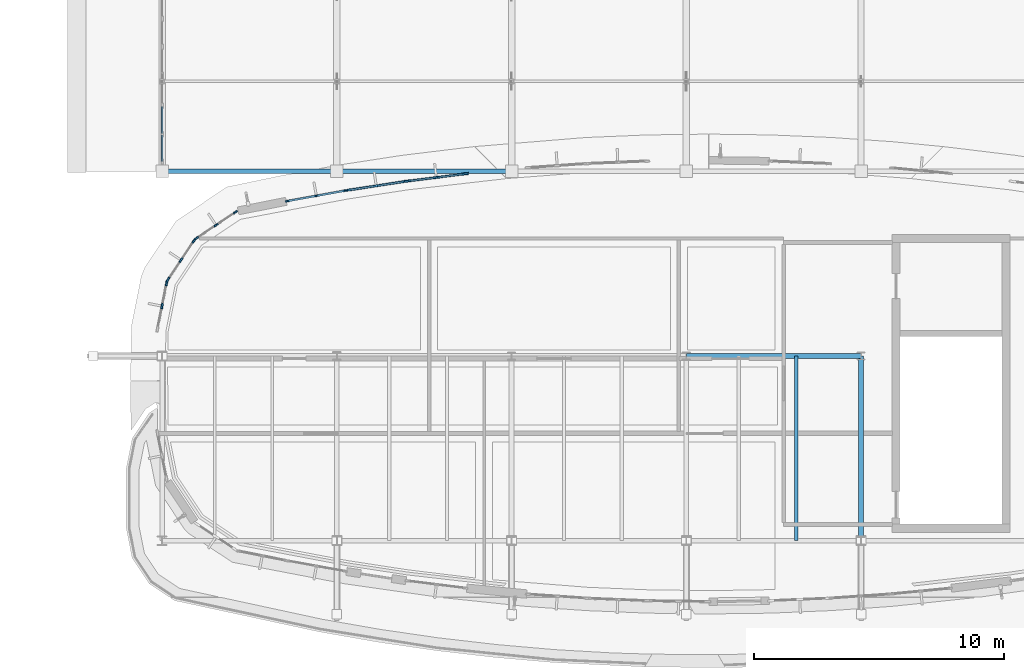
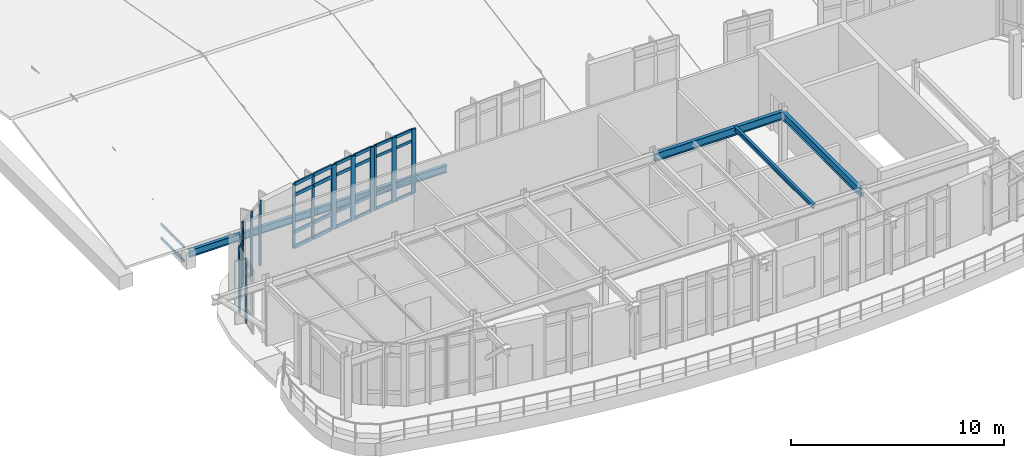
# One storey, part 31 of 105: 45 members, 5 beams, 7 elements without a shape of their own.
"""IFC4 building model written with IfcOpenShell, lengths in metres."""

from ifc_helpers import new_model, si_unit, direction, frame, origin, origin_2d, place, context, subcontext, project, spatial, rectangle, i_section, extrude, material, material_profile, profile_set, type_object, element, aggregate, save


model = new_model("IFC4")

# Units and contexts
model_context = context("Model", 3, precision=1e-05, world=origin(), true_north=direction((0.0, 1.0)))
body_context = subcontext(model_context, "Body", "Model", "MODEL_VIEW")
ifc_project = project(units=[si_unit("LENGTHUNIT", "METRE"), si_unit("AREAUNIT", "SQUARE_METRE"), si_unit("VOLUMEUNIT", "CUBIC_METRE"), si_unit("PLANEANGLEUNIT", "RADIAN"), si_unit("MASSUNIT", "GRAM", prefix="KILO")], contexts=[model_context])

# Site, building, storey
site_placement = place(None, origin())
site = spatial("IfcSite", under=ifc_project, at=site_placement, CompositionType="ELEMENT")
building_placement = place(site_placement, origin())
building = spatial("IfcBuilding", under=site, at=building_placement, Name="Corveleigh Park Community Centre", CompositionType="ELEMENT")
storey_placement = place(building_placement, frame((0.0, 0.0, 8.699951171875)))
storey = spatial("IfcBuildingStorey", under=building, at=storey_placement, Name="L02", CompositionType="ELEMENT", Elevation=8.699951171875)

# Beams
ifc_material_1 = material(Name="Steel S355", Category="steel")
ifc_material_profile_1 = material_profile(ifc_material_1, i_section(OverallWidth=0.14599609375, OverallDepth=0.25146484375, WebThickness=0.006103515625, FlangeThickness=0.008544921875, at=origin_2d()), Name="UKB 254x146x31", Category="steel")
ifc_profile_set_1 = profile_set([ifc_material_profile_1], Name="Steel S355")
beam_type_1 = type_object("IfcBeamType", Name="BM-STL-UKB254x31", PredefinedType="JOIST", material=ifc_profile_set_1)
beam_1_placement = place(storey_placement, frame((36.610107421875, 78.0048828125, 3.486328125), z_axis=(0.0, 1.0, 0.0), x_axis=(-1.0, 0.0, 0.0)))
element("IfcBeam", 1, at=beam_1_placement, inside=storey, type_object=beam_type_1, Name="Secondary floor joist", PredefinedType="JOIST", context=body_context, shape_type="SweptSolid", body=[
    extrude(i_section(OverallWidth=0.14599609375, OverallDepth=0.25146484375, WebThickness=0.006103515625, FlangeThickness=0.008544921875, at=origin_2d()), origin(), (0.0, 0.0, 1.0), 7.39013671875),
])
ifc_material_profile_2 = material_profile(ifc_material_1, i_section(OverallWidth=0.177978515625, OverallDepth=0.406494140625, WebThickness=0.0078125, FlangeThickness=0.0126953125, at=origin_2d()), Name="UKB 406x178x60", Category="steel")
ifc_profile_set_2 = profile_set([ifc_material_profile_2], Name="Steel S355")
beam_type_2 = type_object("IfcBeamType", Name="BM-STL-UKB406x60", PredefinedType="BEAM", material=ifc_profile_set_2)
for number, where, z_axis, x_axis, name in (
    (2, (11.205078125, 92.800048828125, 0.716796875), (1.0, 0.0, 0.0), (0.0, 1.0, 0.0), "V2 Eave Tie Beam"),
    (3, (18.205078125, 92.800048828125, 0.716796875), (1.0, 0.0, 0.0), (0.0, 1.0, 0.0), "V2 Eave Tie Beam"),
):
    element("IfcBeam", number, at=place(storey_placement, frame(where, z_axis=z_axis, x_axis=x_axis)), inside=storey, type_object=beam_type_2, Name=name, PredefinedType="BEAM", context=body_context, shape_type="SweptSolid", body=[
        extrude(i_section(OverallWidth=0.177978515625, OverallDepth=0.406494140625, WebThickness=0.0078125, FlangeThickness=0.0126953125, at=origin_2d()), origin(), (0.0, 0.0, 1.0), 6.989990234375),
    ])
ifc_material_profile_3 = material_profile(ifc_material_1, i_section(OverallWidth=0.1904296875, OverallDepth=0.45703125, WebThickness=0.009033203125, FlangeThickness=0.014404296875, at=origin_2d()), Name="UKB 457x191x74", Category="steel")
ifc_profile_set_3 = profile_set([ifc_material_profile_3], Name="Steel S355")
beam_type_3 = type_object("IfcBeamType", Name="BM-STL-UKB457x74", PredefinedType="BEAM", material=ifc_profile_set_3)
beam_2_placement = place(storey_placement, frame((39.199951171875, 78.0048828125, 3.383544921875), z_axis=(0.0, 1.0, 0.0), x_axis=(-1.0, 0.0, 0.0)))
element("IfcBeam", 4, at=beam_2_placement, inside=storey, type_object=beam_type_3, Name="V2 Studio Girder Y", PredefinedType="BEAM", context=body_context, shape_type="SweptSolid", body=[
    extrude(i_section(OverallWidth=0.1904296875, OverallDepth=0.45703125, WebThickness=0.009033203125, FlangeThickness=0.014404296875, at=origin_2d()), origin(), (0.0, 0.0, 1.0), 7.39013671875),
])
ifc_material_profile_4 = material_profile(ifc_material_1, i_section(OverallWidth=0.19140625, OverallDepth=0.4599609375, WebThickness=0.010009765625, FlangeThickness=0.01611328125, at=origin_2d()), Name="UKB 457x191x82", Category="steel")
ifc_profile_set_4 = profile_set([ifc_material_profile_4], Name="Steel S355")
beam_type_4 = type_object("IfcBeamType", Name="BM-STL-UKB457x82", PredefinedType="BEAM", material=ifc_profile_set_4)
beam_3_placement = place(storey_placement, frame((32.205078125, 85.39990234375, 3.382080078125), z_axis=(1.0, 0.0, 0.0), x_axis=(0.0, 1.0, 0.0)))
element("IfcBeam", 5, at=beam_3_placement, inside=storey, type_object=beam_type_4, Name="V2 Studio Girder X", PredefinedType="BEAM", context=body_context, shape_type="SweptSolid", body=[
    extrude(i_section(OverallWidth=0.19140625, OverallDepth=0.4599609375, WebThickness=0.010009765625, FlangeThickness=0.01611328125, at=origin_2d()), origin(), (0.0, 0.0, 1.0), 6.989990234375),
])

# Curtain wall, members
ifc_material_2 = material(Name="Anodised aluminium 6063-T6", Category="aluminium")
curtain_wall_type = type_object("IfcCurtainWallType", Name="CW-SYS-V2-HALL", PredefinedType="NOTDEFINED", material=ifc_material_2)
curtain_wall_1_placement = place(storey_placement, origin())
curtain_wall_1 = element("IfcCurtainWall", 6, at=curtain_wall_1_placement, inside=storey, type_object=curtain_wall_type, Name="V2 L02 Curtain Wall 325", PredefinedType="NOTDEFINED")
ifc_material_profile_5 = material_profile(ifc_material_2, rectangle(XDim=0.06005859375, YDim=0.159912109375, at=origin_2d()), Name="ALU-M60x160", Category="aluminium")
ifc_profile_set_5 = profile_set([ifc_material_profile_5], Name="Anodised aluminium 6063-T6")
member_type_1 = type_object("IfcMemberType", Name="CWM-60x160", PredefinedType="MULLION", material=ifc_profile_set_5)
member_1_placement = place(storey_placement, frame((16.221435546875, 91.6064453125, 0.0), z_axis=(0.0, 0.0, 1.0), x_axis=(-0.178484557805, 0.983942713081, 0.0)))
member_1 = element("IfcMember", 7, at=member_1_placement, type_object=member_type_1, Name="CW04 mullion 1", PredefinedType="MULLION", context=body_context, shape_type="SweptSolid", body=[
    extrude(rectangle(XDim=0.06005859375, YDim=0.159912109375, at=origin_2d()), origin(), (0.0, 0.0, 1.0), 3.679931640625),
])
member_2_placement = place(storey_placement, frame((17.3798828125, 91.81640625, 0.0), z_axis=(0.0, 0.0, 1.0), x_axis=(-0.178484557805, 0.983942713081, 0.0)))
member_2 = element("IfcMember", 8, at=member_2_placement, type_object=member_type_1, Name="CW04 mullion 2", PredefinedType="MULLION", context=body_context, shape_type="SweptSolid", body=[
    extrude(rectangle(XDim=0.06005859375, YDim=0.159912109375, at=origin_2d()), origin(), (0.0, 0.0, 1.0), 3.679931640625),
])
member_3_placement = place(storey_placement, frame((18.53857421875, 92.026611328125, 0.0), z_axis=(0.0, 0.0, 1.0), x_axis=(-0.178484557805, 0.983942713081, 0.0)))
member_3 = element("IfcMember", 9, at=member_3_placement, type_object=member_type_1, Name="CW04 mullion 3", PredefinedType="MULLION", context=body_context, shape_type="SweptSolid", body=[
    extrude(rectangle(XDim=0.06005859375, YDim=0.159912109375, at=origin_2d()), origin(), (0.0, 0.0, 1.0), 3.679931640625),
])

curtain_wall_2_placement = place(storey_placement, origin())
curtain_wall_2 = element("IfcCurtainWall", 10, at=curtain_wall_2_placement, inside=storey, type_object=curtain_wall_type, Name="V2 L02 Curtain Wall 326", PredefinedType="NOTDEFINED")
ifc_material_profile_6 = material_profile(ifc_material_2, rectangle(XDim=0.06494140625, YDim=0.179931640625, at=origin_2d()), Name="ALU-M65x180", Category="aluminium")
ifc_profile_set_6 = profile_set([ifc_material_profile_6], Name="Anodised aluminium 6063-T6")
member_type_2 = type_object("IfcMemberType", Name="CWM-65x180", PredefinedType="MULLION", material=ifc_profile_set_6)
member_4_placement = place(storey_placement, frame((12.58203125, 90.125, 0.0), z_axis=(0.0, 0.0, 1.0), x_axis=(-0.555058272633, 0.831811465407, 0.0)))
member_4 = element("IfcMember", 11, at=member_4_placement, type_object=member_type_2, Name="CW04 mullion 1", PredefinedType="MULLION", context=body_context, shape_type="SweptSolid", body=[
    extrude(rectangle(XDim=0.06494140625, YDim=0.179931640625, at=origin_2d()), origin(), (0.0, 0.0, 1.0), 3.679931640625),
])
member_5_placement = place(storey_placement, frame((13.35888671875, 90.6435546875, 0.0), z_axis=(0.0, 0.0, 1.0), x_axis=(-0.555058272633, 0.831811465407, 0.0)))
member_5 = element("IfcMember", 12, at=member_5_placement, type_object=member_type_2, Name="CW04 mullion 2", PredefinedType="MULLION", context=body_context, shape_type="SweptSolid", body=[
    extrude(rectangle(XDim=0.06494140625, YDim=0.179931640625, at=origin_2d()), origin(), (0.0, 0.0, 1.0), 3.679931640625),
])
member_6_placement = place(storey_placement, frame((14.135986328125, 91.161865234375, 0.0), z_axis=(0.0, 0.0, 1.0), x_axis=(-0.555058272633, 0.831811465407, 0.0)))
member_6 = element("IfcMember", 13, at=member_6_placement, type_object=member_type_2, Name="CW04 mullion 3", PredefinedType="MULLION", context=body_context, shape_type="SweptSolid", body=[
    extrude(rectangle(XDim=0.06494140625, YDim=0.179931640625, at=origin_2d()), origin(), (0.0, 0.0, 1.0), 3.679931640625),
])
aggregate(curtain_wall_2, [member_4, member_5, member_6])

curtain_wall_3_placement = place(storey_placement, origin())
curtain_wall_3 = element("IfcCurtainWall", 14, at=curtain_wall_3_placement, inside=storey, type_object=curtain_wall_type, Name="V2 L02 Curtain Wall 327", PredefinedType="NOTDEFINED")
ifc_material_profile_7 = material_profile(ifc_material_2, rectangle(XDim=0.070068359375, YDim=0.199951171875, at=origin_2d()), Name="ALU-M70x200", Category="aluminium")
ifc_profile_set_7 = profile_set([ifc_material_profile_7], Name="Anodised aluminium 6063-T6")
member_type_3 = type_object("IfcMemberType", Name="CWM-70x200", PredefinedType="MULLION", material=ifc_profile_set_7)
member_7_placement = place(storey_placement, frame((11.439453125, 88.466064453125, 0.0), z_axis=(0.0, 0.0, 1.0), x_axis=(-0.831811465407, 0.555058272633, 0.0)))
member_7 = element("IfcMember", 15, at=member_7_placement, type_object=member_type_3, Name="CW04 mullion 1", PredefinedType="MULLION", context=body_context, shape_type="SweptSolid", body=[
    extrude(rectangle(XDim=0.070068359375, YDim=0.199951171875, at=origin_2d()), origin(), (0.0, 0.0, 1.0), 3.679931640625),
])
member_8_placement = place(storey_placement, frame((11.95654296875, 89.240966796875, 0.0), z_axis=(0.0, 0.0, 1.0), x_axis=(-0.831811465407, 0.555058272633, 0.0)))
member_8 = element("IfcMember", 16, at=member_8_placement, type_object=member_type_3, Name="CW04 mullion 2", PredefinedType="MULLION", context=body_context, shape_type="SweptSolid", body=[
    extrude(rectangle(XDim=0.070068359375, YDim=0.199951171875, at=origin_2d()), origin(), (0.0, 0.0, 1.0), 3.679931640625),
])
member_9_placement = place(storey_placement, frame((12.4736328125, 90.015869140625, 0.0), z_axis=(0.0, 0.0, 1.0), x_axis=(-0.831811465407, 0.555058272633, 0.0)))
member_9 = element("IfcMember", 17, at=member_9_placement, type_object=member_type_3, Name="CW04 mullion 3", PredefinedType="MULLION", context=body_context, shape_type="SweptSolid", body=[
    extrude(rectangle(XDim=0.070068359375, YDim=0.199951171875, at=origin_2d()), origin(), (0.0, 0.0, 1.0), 3.679931640625),
])
aggregate(curtain_wall_3, [member_7, member_8, member_9])

curtain_wall_4_placement = place(storey_placement, origin())
curtain_wall_4 = element("IfcCurtainWall", 18, at=curtain_wall_4_placement, inside=storey, type_object=curtain_wall_type, Name="V2 L02 Curtain Wall 328", PredefinedType="NOTDEFINED")
ifc_material_profile_8 = material_profile(ifc_material_2, rectangle(XDim=0.074951171875, YDim=0.219970703125, at=origin_2d()), Name="ALU-M75x220", Category="aluminium")
ifc_profile_set_8 = profile_set([ifc_material_profile_8], Name="Anodised aluminium 6063-T6")
member_type_4 = type_object("IfcMemberType", Name="CWM-75x220", PredefinedType="MULLION", material=ifc_profile_set_8)
member_10_placement = place(storey_placement, frame((11.195556640625, 87.39794921875, 0.0), z_axis=(0.0, 0.0, 1.0), x_axis=(-0.980796650035, 0.195033154312, 0.0)))
member_10 = element("IfcMember", 19, at=member_10_placement, type_object=member_type_4, Name="CW04 mullion 2", PredefinedType="MULLION", context=body_context, shape_type="SweptSolid", body=[
    extrude(rectangle(XDim=0.074951171875, YDim=0.219970703125, at=origin_2d()), origin(), (0.0, 0.0, 1.0), 3.679931640625),
])
member_11_placement = place(storey_placement, frame((11.378662109375, 88.3193359375, 0.0), z_axis=(0.0, 0.0, 1.0), x_axis=(-0.980796650035, 0.195033154312, 0.0)))
member_11 = element("IfcMember", 20, at=member_11_placement, type_object=member_type_4, Name="CW04 mullion 3", PredefinedType="MULLION", context=body_context, shape_type="SweptSolid", body=[
    extrude(rectangle(XDim=0.074951171875, YDim=0.219970703125, at=origin_2d()), origin(), (0.0, 0.0, 1.0), 3.679931640625),
])
aggregate(curtain_wall_4, [member_10, member_11])

curtain_wall_5_placement = place(storey_placement, origin())
curtain_wall_5 = element("IfcCurtainWall", 21, at=curtain_wall_5_placement, inside=storey, type_object=curtain_wall_type, Name="V2 L02 Curtain Wall 323", PredefinedType="NOTDEFINED")
ifc_material_profile_9 = material_profile(ifc_material_2, rectangle(XDim=0.080078125, YDim=0.25, at=origin_2d()), Name="ALU-M80x250", Category="aluminium")
ifc_profile_set_9 = profile_set([ifc_material_profile_9], Name="Anodised aluminium 6063-T6")
member_type_5 = type_object("IfcMemberType", Name="CWM-80x250", PredefinedType="MULLION", material=ifc_profile_set_9)
member_12_placement = place(storey_placement, frame((21.02880859375, 92.407958984375, 0.0), z_axis=(0.0, 0.0, 1.0), x_axis=(-0.124289683694, 0.99224597481, 0.0)))
member_12 = element("IfcMember", 22, at=member_12_placement, type_object=member_type_5, Name="CW04 mullion 1", PredefinedType="MULLION", context=body_context, shape_type="SweptSolid", body=[
    extrude(rectangle(XDim=0.080078125, YDim=0.25, at=origin_2d()), origin(), (0.0, 0.0, 1.0), 3.679931640625),
])
member_13_placement = place(storey_placement, frame((22.1865234375, 92.552978515625, 0.0), z_axis=(0.0, 0.0, 1.0), x_axis=(-0.124289683694, 0.99224597481, 0.0)))
member_13 = element("IfcMember", 23, at=member_13_placement, type_object=member_type_5, Name="CW04 mullion 2", PredefinedType="MULLION", context=body_context, shape_type="SweptSolid", body=[
    extrude(rectangle(XDim=0.080078125, YDim=0.25, at=origin_2d()), origin(), (0.0, 0.0, 1.0), 3.679931640625),
])
member_14_placement = place(storey_placement, frame((23.34423828125, 92.697998046875, 0.0), z_axis=(0.0, 0.0, 1.0), x_axis=(-0.124289683694, 0.99224597481, 0.0)))
member_14 = element("IfcMember", 24, at=member_14_placement, type_object=member_type_5, Name="CW04 mullion 3", PredefinedType="MULLION", context=body_context, shape_type="SweptSolid", body=[
    extrude(rectangle(XDim=0.080078125, YDim=0.25, at=origin_2d()), origin(), (0.0, 0.0, 1.0), 3.679931640625),
])

curtain_wall_6_placement = place(storey_placement, origin())
curtain_wall_6 = element("IfcCurtainWall", 25, at=curtain_wall_6_placement, inside=storey, type_object=curtain_wall_type, Name="V2 L02 Curtain Wall 324", PredefinedType="NOTDEFINED")
ifc_material_profile_10 = material_profile(ifc_material_2, rectangle(XDim=0.0849609375, YDim=0.27490234375, at=origin_2d()), Name="ALU-M85x275", Category="aluminium")
ifc_profile_set_10 = profile_set([ifc_material_profile_10], Name="Anodised aluminium 6063-T6")
member_type_6 = type_object("IfcMemberType", Name="CWM-85x275", PredefinedType="MULLION", material=ifc_profile_set_10)
member_15_placement = place(storey_placement, frame((18.6279296875, 92.04150390625, 0.0), z_axis=(0.0, 0.0, 1.0), x_axis=(-0.151683462597, 0.988429120967, 0.0)))
member_15 = element("IfcMember", 26, at=member_15_placement, type_object=member_type_6, Name="CW04 mullion 1", PredefinedType="MULLION", context=body_context, shape_type="SweptSolid", body=[
    extrude(rectangle(XDim=0.0849609375, YDim=0.27490234375, at=origin_2d()), origin(), (0.0, 0.0, 1.0), 3.679931640625),
])
member_16_placement = place(storey_placement, frame((19.778564453125, 92.218017578125, 0.0), z_axis=(0.0, 0.0, 1.0), x_axis=(-0.151683462597, 0.988429120967, 0.0)))
member_16 = element("IfcMember", 27, at=member_16_placement, type_object=member_type_6, Name="CW04 mullion 2", PredefinedType="MULLION", context=body_context, shape_type="SweptSolid", body=[
    extrude(rectangle(XDim=0.0849609375, YDim=0.27490234375, at=origin_2d()), origin(), (0.0, 0.0, 1.0), 3.679931640625),
])
member_17_placement = place(storey_placement, frame((20.928955078125, 92.39453125, 0.0), z_axis=(0.0, 0.0, 1.0), x_axis=(-0.151683462597, 0.988429120967, 0.0)))
member_17 = element("IfcMember", 28, at=member_17_placement, type_object=member_type_6, Name="CW04 mullion 3", PredefinedType="MULLION", context=body_context, shape_type="SweptSolid", body=[
    extrude(rectangle(XDim=0.0849609375, YDim=0.27490234375, at=origin_2d()), origin(), (0.0, 0.0, 1.0), 3.679931640625),
])

curtain_wall_7_placement = place(storey_placement, origin())
curtain_wall_7 = element("IfcCurtainWall", 29, at=curtain_wall_7_placement, inside=storey, type_object=curtain_wall_type, Name="Sports Hall W Gable Clerestory 1", PredefinedType="NOTDEFINED")
ifc_material_profile_11 = material_profile(ifc_material_2, rectangle(XDim=0.06494140625, YDim=0.139892578125, at=origin_2d()), Name="ALU-T65x140", Category="aluminium")
ifc_profile_set_11 = profile_set([ifc_material_profile_11], Name="Anodised aluminium 6063-T6")
member_type_7 = type_object("IfcMemberType", Name="CWT-65x140", PredefinedType="USERDEFINED", material=ifc_profile_set_11)
member_18_placement = place(storey_placement, frame((11.199951171875, 93.2099609375, 0.032470703125), z_axis=(0.0, 1.0, 0.0), x_axis=(-1.0, 0.0, 0.0)))
member_18 = element("IfcMember", 30, at=member_18_placement, type_object=member_type_7, Name="CW04 transom 1.1", ObjectType="TRANSOM", PredefinedType="USERDEFINED", context=body_context, shape_type="SweptSolid", body=[
    extrude(rectangle(XDim=0.06494140625, YDim=0.139892578125, at=origin_2d()), origin(), (0.0, 0.0, 1.0), 1.03515625),
])
member_19_placement = place(storey_placement, frame((11.199951171875, 93.2099609375, 0.838623046875), z_axis=(0.0, 1.0, 0.0), x_axis=(-1.0, 0.0, 0.0)))
member_19 = element("IfcMember", 31, at=member_19_placement, type_object=member_type_7, Name="CW04 transom 1.2", ObjectType="TRANSOM", PredefinedType="USERDEFINED", context=body_context, shape_type="SweptSolid", body=[
    extrude(rectangle(XDim=0.06494140625, YDim=0.139892578125, at=origin_2d()), origin(), (0.0, 0.0, 1.0), 1.03515625),
])
member_20_placement = place(storey_placement, frame((11.199951171875, 94.31494140625, 0.032470703125), z_axis=(0.0, 1.0, 0.0), x_axis=(-1.0, 0.0, 0.0)))
member_20 = element("IfcMember", 32, at=member_20_placement, type_object=member_type_7, Name="CW04 transom 2.1", ObjectType="TRANSOM", PredefinedType="USERDEFINED", context=body_context, shape_type="SweptSolid", body=[
    extrude(rectangle(XDim=0.06494140625, YDim=0.139892578125, at=origin_2d()), origin(), (0.0, 0.0, 1.0), 1.070068359375),
])
member_21_placement = place(storey_placement, frame((11.199951171875, 94.31494140625, 0.838623046875), z_axis=(0.0, 1.0, 0.0), x_axis=(-1.0, 0.0, 0.0)))
member_21 = element("IfcMember", 33, at=member_21_placement, type_object=member_type_7, Name="CW04 transom 2.2", ObjectType="TRANSOM", PredefinedType="USERDEFINED", context=body_context, shape_type="SweptSolid", body=[
    extrude(rectangle(XDim=0.06494140625, YDim=0.139892578125, at=origin_2d()), origin(), (0.0, 0.0, 1.0), 1.070068359375),
])
aggregate(curtain_wall_7, [member_18, member_19, member_20, member_21])

# Member
ifc_material_profile_12 = material_profile(ifc_material_2, rectangle(XDim=0.070068359375, YDim=0.155029296875, at=origin_2d()), Name="ALU-T70x155", Category="aluminium")
ifc_profile_set_12 = profile_set([ifc_material_profile_12], Name="Anodised aluminium 6063-T6")
member_type_8 = type_object("IfcMemberType", Name="CWT-70x155", PredefinedType="USERDEFINED", material=ifc_profile_set_12)
member_22_placement = place(storey_placement, frame((21.068359375, 92.412841796875, 0.03515625), z_axis=(0.992225950516, 0.124449440024, 0.0), x_axis=(-0.124449440024, 0.992225950516, 0.0)))
member_22 = element("IfcMember", 34, at=member_22_placement, type_object=member_type_8, Name="CW04 transom 1.1", ObjectType="TRANSOM", PredefinedType="USERDEFINED", context=body_context, shape_type="SweptSolid", body=[
    extrude(rectangle(XDim=0.070068359375, YDim=0.155029296875, at=origin_2d()), origin(), (0.0, 0.0, 1.0), 1.0869140625),
])

member_23_placement = place(storey_placement, frame((21.068359375, 92.412841796875, 0.900146484375), z_axis=(0.992225950516, 0.124449440024, 0.0), x_axis=(-0.124449440024, 0.992225950516, 0.0)))
member_23 = element("IfcMember", 35, at=member_23_placement, type_object=member_type_8, Name="CW04 transom 1.2", ObjectType="TRANSOM", PredefinedType="USERDEFINED", context=body_context, shape_type="SweptSolid", body=[
    extrude(rectangle(XDim=0.070068359375, YDim=0.155029296875, at=origin_2d()), origin(), (0.0, 0.0, 1.0), 1.0869140625),
])

member_24_placement = place(storey_placement, frame((21.068359375, 92.412841796875, 3.030029296875), z_axis=(0.992225950516, 0.124449440024, 0.0), x_axis=(-0.124449440024, 0.992225950516, 0.0)))
member_24 = element("IfcMember", 36, at=member_24_placement, type_object=member_type_8, Name="CW04 transom 1.3", ObjectType="TRANSOM", PredefinedType="USERDEFINED", context=body_context, shape_type="SweptSolid", body=[
    extrude(rectangle(XDim=0.070068359375, YDim=0.155029296875, at=origin_2d()), origin(), (0.0, 0.0, 1.0), 1.0869140625),
])

member_25_placement = place(storey_placement, frame((21.068359375, 92.412841796875, 3.64501953125), z_axis=(0.992225950516, 0.124449440024, 0.0), x_axis=(-0.124449440024, 0.992225950516, 0.0)))
member_25 = element("IfcMember", 37, at=member_25_placement, type_object=member_type_8, Name="CW04 transom 1.4", ObjectType="TRANSOM", PredefinedType="USERDEFINED", context=body_context, shape_type="SweptSolid", body=[
    extrude(rectangle(XDim=0.070068359375, YDim=0.155029296875, at=origin_2d()), origin(), (0.0, 0.0, 1.0), 1.0869140625),
])

member_26_placement = place(storey_placement, frame((22.22607421875, 92.557861328125, 0.03515625), z_axis=(0.992229428471, 0.124421707418, 0.0), x_axis=(-0.124421707418, 0.992229428471, 0.0)))
member_26 = element("IfcMember", 38, at=member_26_placement, type_object=member_type_8, Name="CW04 transom 2.1", ObjectType="TRANSOM", PredefinedType="USERDEFINED", context=body_context, shape_type="SweptSolid", body=[
    extrude(rectangle(XDim=0.070068359375, YDim=0.155029296875, at=origin_2d()), origin(), (0.0, 0.0, 1.0), 1.087158203125),
])

member_27_placement = place(storey_placement, frame((22.22607421875, 92.557861328125, 0.900146484375), z_axis=(0.992229428471, 0.124421707418, 0.0), x_axis=(-0.124421707418, 0.992229428471, 0.0)))
member_27 = element("IfcMember", 39, at=member_27_placement, type_object=member_type_8, Name="CW04 transom 2.2", ObjectType="TRANSOM", PredefinedType="USERDEFINED", context=body_context, shape_type="SweptSolid", body=[
    extrude(rectangle(XDim=0.070068359375, YDim=0.155029296875, at=origin_2d()), origin(), (0.0, 0.0, 1.0), 1.087158203125),
])

member_28_placement = place(storey_placement, frame((22.22607421875, 92.557861328125, 3.030029296875), z_axis=(0.992229428471, 0.124421707418, 0.0), x_axis=(-0.124421707418, 0.992229428471, 0.0)))
member_28 = element("IfcMember", 40, at=member_28_placement, type_object=member_type_8, Name="CW04 transom 2.3", ObjectType="TRANSOM", PredefinedType="USERDEFINED", context=body_context, shape_type="SweptSolid", body=[
    extrude(rectangle(XDim=0.070068359375, YDim=0.155029296875, at=origin_2d()), origin(), (0.0, 0.0, 1.0), 1.087158203125),
])

member_29_placement = place(storey_placement, frame((22.22607421875, 92.557861328125, 3.64501953125), z_axis=(0.992229428471, 0.124421707418, 0.0), x_axis=(-0.124421707418, 0.992229428471, 0.0)))
member_29 = element("IfcMember", 41, at=member_29_placement, type_object=member_type_8, Name="CW04 transom 2.4", ObjectType="TRANSOM", PredefinedType="USERDEFINED", context=body_context, shape_type="SweptSolid", body=[
    extrude(rectangle(XDim=0.070068359375, YDim=0.155029296875, at=origin_2d()), origin(), (0.0, 0.0, 1.0), 1.087158203125),
])

aggregate(curtain_wall_5, [member_12, member_13, member_14, member_22, member_23, member_24, member_25, member_26, member_27, member_28, member_29])

ifc_material_profile_13 = material_profile(ifc_material_2, rectangle(XDim=0.074951171875, YDim=0.175048828125, at=origin_2d()), Name="ALU-T75x175", Category="aluminium")
ifc_profile_set_13 = profile_set([ifc_material_profile_13], Name="Anodised aluminium 6063-T6")
member_type_9 = type_object("IfcMemberType", Name="CWT-75x175", PredefinedType="USERDEFINED", material=ifc_profile_set_13)
member_30_placement = place(storey_placement, frame((18.669921875, 92.0478515625, 0.03759765625), z_axis=(0.988410895868, 0.151802176958, 0.0), x_axis=(-0.151802176958, 0.988410895868, 0.0)))
member_30 = element("IfcMember", 42, at=member_30_placement, type_object=member_type_9, Name="CW04 transom 1.1", ObjectType="TRANSOM", PredefinedType="USERDEFINED", context=body_context, shape_type="SweptSolid", body=[
    extrude(rectangle(XDim=0.074951171875, YDim=0.175048828125, at=origin_2d()), origin(), (0.0, 0.0, 1.0), 1.0791015625),
])

member_31_placement = place(storey_placement, frame((18.669921875, 92.0478515625, 0.900146484375), z_axis=(0.988410895868, 0.151802176958, 0.0), x_axis=(-0.151802176958, 0.988410895868, 0.0)))
member_31 = element("IfcMember", 43, at=member_31_placement, type_object=member_type_9, Name="CW04 transom 1.2", ObjectType="TRANSOM", PredefinedType="USERDEFINED", context=body_context, shape_type="SweptSolid", body=[
    extrude(rectangle(XDim=0.074951171875, YDim=0.175048828125, at=origin_2d()), origin(), (0.0, 0.0, 1.0), 1.0791015625),
])

member_32_placement = place(storey_placement, frame((18.669921875, 92.0478515625, 3.030029296875), z_axis=(0.988410895868, 0.151802176958, 0.0), x_axis=(-0.151802176958, 0.988410895868, 0.0)))
member_32 = element("IfcMember", 44, at=member_32_placement, type_object=member_type_9, Name="CW04 transom 1.3", ObjectType="TRANSOM", PredefinedType="USERDEFINED", context=body_context, shape_type="SweptSolid", body=[
    extrude(rectangle(XDim=0.074951171875, YDim=0.175048828125, at=origin_2d()), origin(), (0.0, 0.0, 1.0), 1.0791015625),
])

member_33_placement = place(storey_placement, frame((18.669921875, 92.0478515625, 3.642578125), z_axis=(0.988410895868, 0.151802176958, 0.0), x_axis=(-0.151802176958, 0.988410895868, 0.0)))
member_33 = element("IfcMember", 45, at=member_33_placement, type_object=member_type_9, Name="CW04 transom 1.4", ObjectType="TRANSOM", PredefinedType="USERDEFINED", context=body_context, shape_type="SweptSolid", body=[
    extrude(rectangle(XDim=0.074951171875, YDim=0.175048828125, at=origin_2d()), origin(), (0.0, 0.0, 1.0), 1.0791015625),
])

member_34_placement = place(storey_placement, frame((19.820556640625, 92.224365234375, 0.03759765625), z_axis=(0.988405680834, 0.151836129084, 0.0), x_axis=(-0.151836129084, 0.988405680834, 0.0)))
member_34 = element("IfcMember", 46, at=member_34_placement, type_object=member_type_9, Name="CW04 transom 2.1", ObjectType="TRANSOM", PredefinedType="USERDEFINED", context=body_context, shape_type="SweptSolid", body=[
    extrude(rectangle(XDim=0.074951171875, YDim=0.175048828125, at=origin_2d()), origin(), (0.0, 0.0, 1.0), 1.078857421875),
])

member_35_placement = place(storey_placement, frame((19.820556640625, 92.224365234375, 0.900146484375), z_axis=(0.988405680834, 0.151836129084, 0.0), x_axis=(-0.151836129084, 0.988405680834, 0.0)))
member_35 = element("IfcMember", 47, at=member_35_placement, type_object=member_type_9, Name="CW04 transom 2.2", ObjectType="TRANSOM", PredefinedType="USERDEFINED", context=body_context, shape_type="SweptSolid", body=[
    extrude(rectangle(XDim=0.074951171875, YDim=0.175048828125, at=origin_2d()), origin(), (0.0, 0.0, 1.0), 1.078857421875),
])

member_36_placement = place(storey_placement, frame((19.820556640625, 92.224365234375, 3.030029296875), z_axis=(0.988405680834, 0.151836129084, 0.0), x_axis=(-0.151836129084, 0.988405680834, 0.0)))
member_36 = element("IfcMember", 48, at=member_36_placement, type_object=member_type_9, Name="CW04 transom 2.3", ObjectType="TRANSOM", PredefinedType="USERDEFINED", context=body_context, shape_type="SweptSolid", body=[
    extrude(rectangle(XDim=0.074951171875, YDim=0.175048828125, at=origin_2d()), origin(), (0.0, 0.0, 1.0), 1.078857421875),
])

member_37_placement = place(storey_placement, frame((19.820556640625, 92.224365234375, 3.642578125), z_axis=(0.988405680834, 0.151836129084, 0.0), x_axis=(-0.151836129084, 0.988405680834, 0.0)))
member_37 = element("IfcMember", 49, at=member_37_placement, type_object=member_type_9, Name="CW04 transom 2.4", ObjectType="TRANSOM", PredefinedType="USERDEFINED", context=body_context, shape_type="SweptSolid", body=[
    extrude(rectangle(XDim=0.074951171875, YDim=0.175048828125, at=origin_2d()), origin(), (0.0, 0.0, 1.0), 1.078857421875),
])

aggregate(curtain_wall_6, [member_15, member_16, member_17, member_30, member_31, member_32, member_33, member_34, member_35, member_36, member_37])

ifc_material_profile_14 = material_profile(ifc_material_2, rectangle(XDim=0.080078125, YDim=0.195068359375, at=origin_2d()), Name="ALU-T80x195", Category="aluminium")
ifc_profile_set_14 = profile_set([ifc_material_profile_14], Name="Anodised aluminium 6063-T6")
member_type_10 = type_object("IfcMemberType", Name="CWT-80x195", PredefinedType="USERDEFINED", material=ifc_profile_set_14)
member_38_placement = place(storey_placement, frame((16.2509765625, 91.61181640625, 0.0400390625), z_axis=(0.983981573567, 0.178270196277, 0.0), x_axis=(-0.178270196277, 0.983981573567, 0.0)))
member_38 = element("IfcMember", 50, at=member_38_placement, type_object=member_type_10, Name="CW04 transom 1.1", ObjectType="TRANSOM", PredefinedType="USERDEFINED", context=body_context, shape_type="SweptSolid", body=[
    extrude(rectangle(XDim=0.080078125, YDim=0.195068359375, at=origin_2d()), origin(), (0.0, 0.0, 1.0), 1.117431640625),
])

member_39_placement = place(storey_placement, frame((16.2509765625, 91.61181640625, 0.900146484375), z_axis=(0.983981573567, 0.178270196277, 0.0), x_axis=(-0.178270196277, 0.983981573567, 0.0)))
member_39 = element("IfcMember", 51, at=member_39_placement, type_object=member_type_10, Name="CW04 transom 1.2", ObjectType="TRANSOM", PredefinedType="USERDEFINED", context=body_context, shape_type="SweptSolid", body=[
    extrude(rectangle(XDim=0.080078125, YDim=0.195068359375, at=origin_2d()), origin(), (0.0, 0.0, 1.0), 1.117431640625),
])

member_40_placement = place(storey_placement, frame((16.2509765625, 91.61181640625, 3.030029296875), z_axis=(0.983981573567, 0.178270196277, 0.0), x_axis=(-0.178270196277, 0.983981573567, 0.0)))
member_40 = element("IfcMember", 52, at=member_40_placement, type_object=member_type_10, Name="CW04 transom 1.3", ObjectType="TRANSOM", PredefinedType="USERDEFINED", context=body_context, shape_type="SweptSolid", body=[
    extrude(rectangle(XDim=0.080078125, YDim=0.195068359375, at=origin_2d()), origin(), (0.0, 0.0, 1.0), 1.117431640625),
])

member_41_placement = place(storey_placement, frame((16.2509765625, 91.61181640625, 3.64013671875), z_axis=(0.983981573567, 0.178270196277, 0.0), x_axis=(-0.178270196277, 0.983981573567, 0.0)))
member_41 = element("IfcMember", 53, at=member_41_placement, type_object=member_type_10, Name="CW04 transom 1.4", ObjectType="TRANSOM", PredefinedType="USERDEFINED", context=body_context, shape_type="SweptSolid", body=[
    extrude(rectangle(XDim=0.080078125, YDim=0.195068359375, at=origin_2d()), origin(), (0.0, 0.0, 1.0), 1.117431640625),
])

member_42_placement = place(storey_placement, frame((17.409423828125, 91.82177734375, 0.0400390625), z_axis=(0.983943229786, 0.178481709311, 0.0), x_axis=(-0.178481709311, 0.983943229786, 0.0)))
member_42 = element("IfcMember", 54, at=member_42_placement, type_object=member_type_10, Name="CW04 transom 2.1", ObjectType="TRANSOM", PredefinedType="USERDEFINED", context=body_context, shape_type="SweptSolid", body=[
    extrude(rectangle(XDim=0.080078125, YDim=0.195068359375, at=origin_2d()), origin(), (0.0, 0.0, 1.0), 1.117431640625),
])

member_43_placement = place(storey_placement, frame((17.409423828125, 91.82177734375, 0.900146484375), z_axis=(0.983943229786, 0.178481709311, 0.0), x_axis=(-0.178481709311, 0.983943229786, 0.0)))
member_43 = element("IfcMember", 55, at=member_43_placement, type_object=member_type_10, Name="CW04 transom 2.2", ObjectType="TRANSOM", PredefinedType="USERDEFINED", context=body_context, shape_type="SweptSolid", body=[
    extrude(rectangle(XDim=0.080078125, YDim=0.195068359375, at=origin_2d()), origin(), (0.0, 0.0, 1.0), 1.117431640625),
])

member_44_placement = place(storey_placement, frame((17.409423828125, 91.82177734375, 3.030029296875), z_axis=(0.983943229786, 0.178481709311, 0.0), x_axis=(-0.178481709311, 0.983943229786, 0.0)))
member_44 = element("IfcMember", 56, at=member_44_placement, type_object=member_type_10, Name="CW04 transom 2.3", ObjectType="TRANSOM", PredefinedType="USERDEFINED", context=body_context, shape_type="SweptSolid", body=[
    extrude(rectangle(XDim=0.080078125, YDim=0.195068359375, at=origin_2d()), origin(), (0.0, 0.0, 1.0), 1.117431640625),
])

member_45_placement = place(storey_placement, frame((17.409423828125, 91.82177734375, 3.64013671875), z_axis=(0.983943229786, 0.178481709311, 0.0), x_axis=(-0.178481709311, 0.983943229786, 0.0)))
member_45 = element("IfcMember", 57, at=member_45_placement, type_object=member_type_10, Name="CW04 transom 2.4", ObjectType="TRANSOM", PredefinedType="USERDEFINED", context=body_context, shape_type="SweptSolid", body=[
    extrude(rectangle(XDim=0.080078125, YDim=0.195068359375, at=origin_2d()), origin(), (0.0, 0.0, 1.0), 1.117431640625),
])

aggregate(curtain_wall_1, [member_1, member_2, member_3, member_38, member_39, member_40, member_41, member_42, member_43, member_44, member_45])

save(model, "model.ifc")
